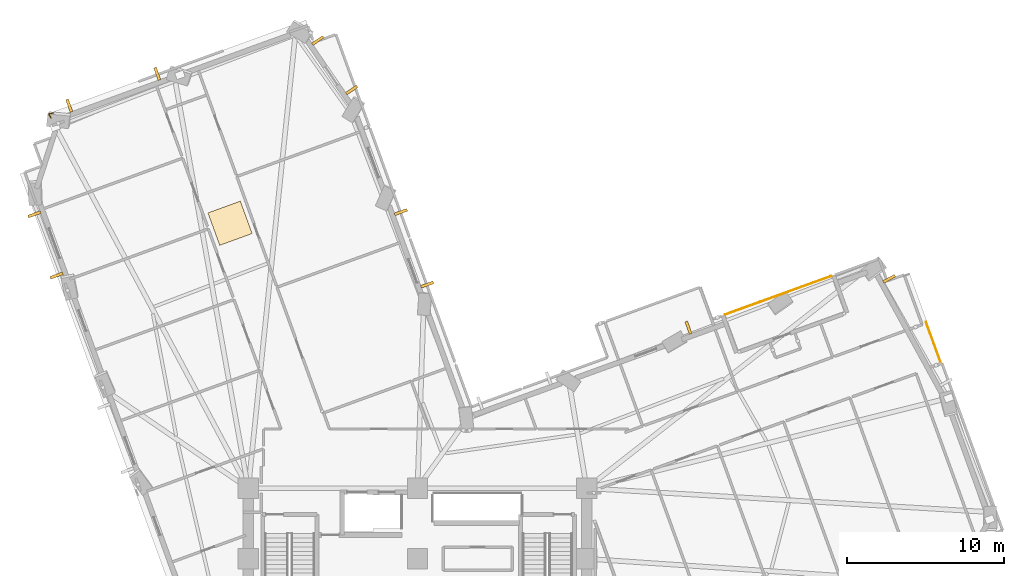
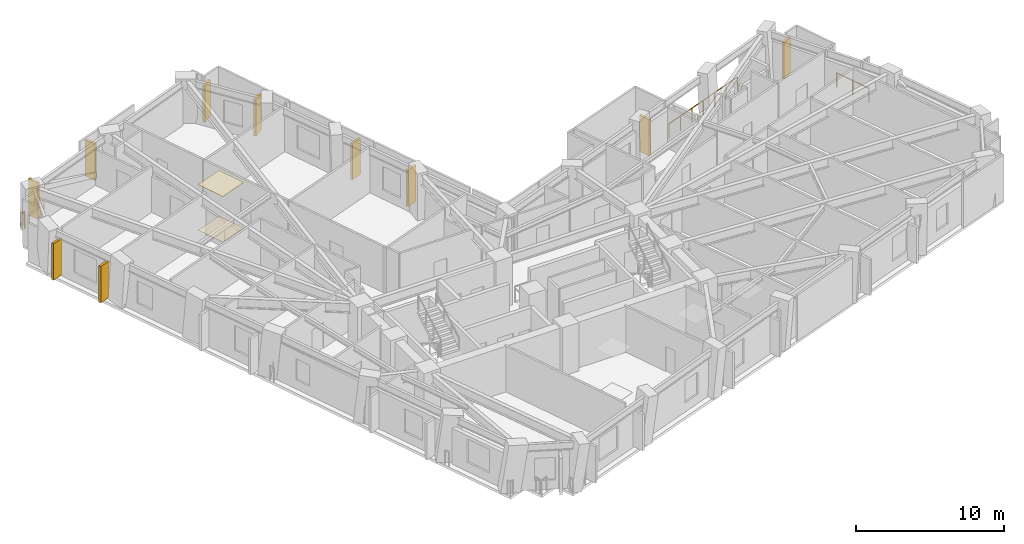
# One storey, part 16 of 17: 10 shading devices, 3 railings, 2 coverings.
"""IFC4 building model written with IfcOpenShell, lengths in metres."""

from ifc_helpers import new_model, si_unit, direction, frame, origin, origin_2d, place, context, subcontext, project, spatial, rectangle, circle, extrude, material, layer, layer_set, type_object, element, save


model = new_model("IFC4")

# Units and contexts
model_context = context("Model", 3, precision=1e-05, world=origin(), true_north=direction((0.0, 1.0)))
body_context = subcontext(model_context, "Body", "Model", "MODEL_VIEW")
ifc_project = project(units=[si_unit("LENGTHUNIT", "METRE"), si_unit("AREAUNIT", "SQUARE_METRE"), si_unit("VOLUMEUNIT", "CUBIC_METRE"), si_unit("PLANEANGLEUNIT", "RADIAN"), si_unit("MASSUNIT", "GRAM", prefix="KILO")], contexts=[model_context])

# Site, building, storey
site_placement = place(None, origin())
site = spatial("IfcSite", under=ifc_project, at=site_placement, CompositionType="ELEMENT")
building_placement = place(site_placement, origin())
building = spatial("IfcBuilding", under=site, at=building_placement, Name="Gaonmaruhae Medical Tower", CompositionType="ELEMENT")
storey_placement = place(building_placement, frame((0.0, 0.0, 108.39990234375)))
storey = spatial("IfcBuildingStorey", under=building, at=storey_placement, Name="L25", CompositionType="ELEMENT", Elevation=108.39990234375)

# Coverings
ifc_material_1 = material(Name="Acoustic mineral ceiling tile", Category="finish")
ifc_layer_1 = layer(ifc_material_1, 0.02490234375)
ifc_layer_set_1 = layer_set([ifc_layer_1], Name="Acoustic mineral ceiling tile")
covering_type_1 = type_object("IfcCoveringType", Name="CLG-01 Antimicrobial Acoustic Mineral Ceiling", PredefinedType="CEILING", material=ifc_layer_set_1)
covering_1_placement = place(storey_placement, frame((12.83740234375, 33.71435546875, 3.755126953125), z_axis=(0.0, 0.0, 1.0), x_axis=(0.93999073182, 0.341199976689, 0.0)))
element("IfcCovering", 1, at=covering_1_placement, inside=storey, type_object=covering_type_1, Name="L25 Clinical Corridor Acoustic Ceiling", PredefinedType="CEILING", context=body_context, shape_type="SweptSolid", body=[
    extrude(rectangle(XDim=2.199951171875, YDim=2.199951171875, at=origin_2d()), origin(), (0.0, 0.0, 1.0), 0.02490234375),
])
ifc_material_2 = material(Name="Seamless clinical vinyl flooring", Category="finish")
ifc_layer_2 = layer(ifc_material_2, 0.014892578125)
ifc_layer_set_2 = layer_set([ifc_layer_2], Name="Seamless clinical vinyl flooring")
covering_type_2 = type_object("IfcCoveringType", Name="FLR-01 Seamless Clinical Antistatic Vinyl Flooring", PredefinedType="FLOORING", material=ifc_layer_set_2)
covering_2_placement = place(storey_placement, frame((12.83740234375, 33.71435546875, 0.00048828125), z_axis=(0.0, 0.0, 1.0), x_axis=(0.93999073182, 0.341199976689, 0.0)))
element("IfcCovering", 2, at=covering_2_placement, inside=storey, type_object=covering_type_2, Name="L25 Clinical Corridor Vinyl Flooring", PredefinedType="FLOORING", context=body_context, shape_type="SweptSolid", body=[
    extrude(rectangle(XDim=2.199951171875, YDim=2.199951171875, at=origin_2d()), origin(), (0.0, 0.0, 1.0), 0.014892578125),
])

# Railings
ifc_material_3 = material(Name="Stainless steel 316L and laminated safety glass", Category="steel")
ifc_layer_3 = layer(ifc_material_3, 0.080078125)
ifc_layer_set_3 = layer_set([ifc_layer_3], Name="Stainless steel 316L and laminated safety glass")
railing_type = type_object("IfcRailingType", Name="GD-120 Outdoor Terrace Safety Glass & Steel Balustrade", PredefinedType="BALUSTRADE", material=ifc_layer_set_3)
railing_1_placement = place(storey_placement, frame((51.205322265625, 30.33935546875, 0.0)))
element("IfcRailing", 3, at=railing_1_placement, inside=storey, type_object=railing_type, Name="L25 Terrace Safety Guard RL-SLB-L25-TER-03", PredefinedType="BALUSTRADE", context=body_context, shape_type="SweptSolid", body=[
    extrude(circle(Radius=0.02392578125, at=origin_2d()), frame((0.0, 0.0, 1.17578125), z_axis=(-0.939993251809, -0.341193034151, 0.0), x_axis=(0.341193034151, -0.939993251809, 0.0)), (0.0, 0.0, 1.0), 7.199951171875),
    extrude(circle(Radius=0.02099609375, at=origin_2d()), origin(), (0.0, 0.0, 1.0), 1.15185546875),
    extrude(circle(Radius=0.02099609375, at=origin_2d()), frame((-1.1279296875, -0.409423828125, 0.0)), (0.0, 0.0, 1.0), 1.15185546875),
    extrude(circle(Radius=0.02099609375, at=origin_2d()), frame((-2.255859375, -0.81884765625, 0.0)), (0.0, 0.0, 1.0), 1.15185546875),
    extrude(circle(Radius=0.02099609375, at=origin_2d()), frame((-3.3837890625, -1.228271484375, 0.0)), (0.0, 0.0, 1.0), 1.15185546875),
    extrude(circle(Radius=0.02099609375, at=origin_2d()), frame((-4.511962890625, -1.6376953125, 0.0)), (0.0, 0.0, 1.0), 1.15185546875),
    extrude(circle(Radius=0.02099609375, at=origin_2d()), frame((-5.639892578125, -2.047119140625, 0.0)), (0.0, 0.0, 1.0), 1.15185546875),
    extrude(circle(Radius=0.02099609375, at=origin_2d()), frame((-6.767822265625, -2.45654296875, 0.0)), (0.0, 0.0, 1.0), 1.15185546875),
])
railing_2_placement = place(storey_placement, frame((57.257080078125, 27.416015625, 0.0)))
element("IfcRailing", 4, at=railing_2_placement, inside=storey, type_object=railing_type, Name="L25 Perimeter Slab Edge Safety Balustrade 02", PredefinedType="BALUSTRADE", context=body_context, shape_type="SweptSolid", body=[
    extrude(circle(Radius=0.02392578125, at=origin_2d()), frame((0.0, 0.0, 1.17578125), z_axis=(0.341197445179, -0.939991650709, 0.0), x_axis=(0.939991650709, 0.341197445179, 0.0)), (0.0, 0.0, 1.0), 2.838623046875),
    extrude(circle(Radius=0.02099609375, at=origin_2d()), origin(), (0.0, 0.0, 1.0), 1.15185546875),
    extrude(circle(Radius=0.02099609375, at=origin_2d()), frame((0.484375, -1.333984375, 0.0)), (0.0, 0.0, 1.0), 1.15185546875),
    extrude(circle(Radius=0.02099609375, at=origin_2d()), frame((0.968505859375, -2.668212890625, 0.0)), (0.0, 0.0, 1.0), 1.15185546875),
])
railing_3_placement = place(storey_placement, frame((1.404052734375, 40.432861328125, 0.0)))
element("IfcRailing", 5, at=railing_3_placement, inside=storey, type_object=railing_type, Name="L25 Perimeter Corner Safety Balustrade 12", PredefinedType="BALUSTRADE", context=body_context, shape_type="SweptSolid", body=[
    extrude(circle(Radius=0.02392578125, at=origin_2d()), frame((0.0, 0.0, 1.17578125), z_axis=(-0.454002196046, 0.891000564526, 0.0), x_axis=(-0.891000564526, -0.454002196046, 0.0)), (0.0, 0.0, 1.0), 0.287109375),
    extrude(circle(Radius=0.02392578125, at=origin_2d()), frame((-0.13037109375, 0.255859375, 1.17578125), z_axis=(0.974519911364, 0.22430100837, 0.0), x_axis=(-0.22430100837, 0.974519911364, 0.0)), (0.0, 0.0, 1.0), 0.287353515625),
    extrude(circle(Radius=0.02099609375, at=origin_2d()), origin(), (0.0, 0.0, 1.0), 1.15185546875),
    extrude(circle(Radius=0.02099609375, at=origin_2d()), frame((-0.13037109375, 0.255859375, 0.0)), (0.0, 0.0, 1.0), 1.15185546875),
    extrude(circle(Radius=0.02099609375, at=origin_2d()), frame((0.149658203125, 0.3203125, 0.0)), (0.0, 0.0, 1.0), 1.15185546875),
])

# Shading devices
ifc_material_4 = material(Name="Pigmented coral precast concrete C45/55", Category="concrete")
shading_device_type = type_object("IfcShadingDeviceType", Name="SD-FIN1 Tower Vertical Coral Precast Shading Fin", PredefinedType="USERDEFINED", material=ifc_material_4)
for number, where, z_axis, x_axis, name in (
    (6, (54.904541015625, 30.166015625, 0.08251953125), (0.0, 0.0, 1.0), (0.480851047069, -0.87680229843, 0.0), "L25 Vertical Coral Precast Shading Fin E02"),
    (7, (42.095458984375, 27.048583984375, 0.072509765625), (0.0, 0.0, 1.0), (0.93999668674, 0.341183570703, 0.0), "L25 Vertical Coral Precast Shading Fin EN01"),
    (8, (23.739501953125, 34.424560546875, 0.08251953125), (0.0, 0.0, 1.0), (0.341199976689, -0.93999073182, 0.0), "L25 Vertical Coral Precast Shading Fin NE01"),
    (9, (25.4189453125, 29.797119140625, 0.08251953125), (0.0, 0.0, 1.0), (0.341199976689, -0.93999073182, 0.0), "L25 Vertical Coral Precast Shading Fin NE01B"),
    (10, (18.44140625, 45.37939453125, 0.08251953125), (0.0, 0.0, 1.0), (0.563972928624, -0.825793276662, 0.0), "L25 Vertical Coral Precast Shading Fin NE03"),
    (11, (20.6005859375, 42.2177734375, 0.08251953125), (0.0, 0.0, 1.0), (0.563972928624, -0.825793276662, 0.0), "L25 Vertical Coral Precast Shading Fin NE03B"),
    (12, (2.580078125, 41.21630859375, 0.08251953125), (0.0, 0.0, 1.0), (0.93999073182, 0.341199976689, 0.0), "L25 Vertical Coral Precast Shading Fin N02"),
    (13, (8.192138671875, 43.253173828125, 0.08251953125), (0.0, 0.0, 1.0), (0.93999073182, 0.341199976689, 0.0), "L25 Vertical Coral Precast Shading Fin N02B"),
    (14, (1.772216796875, 30.376953125, 0.08251953125), (0.0, 0.0, 1.0), (-0.34121638257, 0.939984776614, 0.0), "L25 Vertical Coral Precast Shading Fin W01"),
    (15, (0.354248046875, 34.283203125, 0.08251953125), (0.0, 0.0, 1.0), (-0.34121638257, 0.939984776614, 0.0), "L25 Vertical Coral Precast Shading Fin W01B"),
):
    element("IfcShadingDevice", number, at=place(storey_placement, frame(where, z_axis=z_axis, x_axis=x_axis)), inside=storey, type_object=shading_device_type, Name=name, ObjectType="FIN", PredefinedType="USERDEFINED", context=body_context, shape_type="SweptSolid", body=[
        extrude(rectangle(XDim=0.179931640625, YDim=0.85009765625, at=origin_2d()), origin(), (0.0, 0.0, 1.0), 3.0),
    ])

save(model, "model.ifc")
